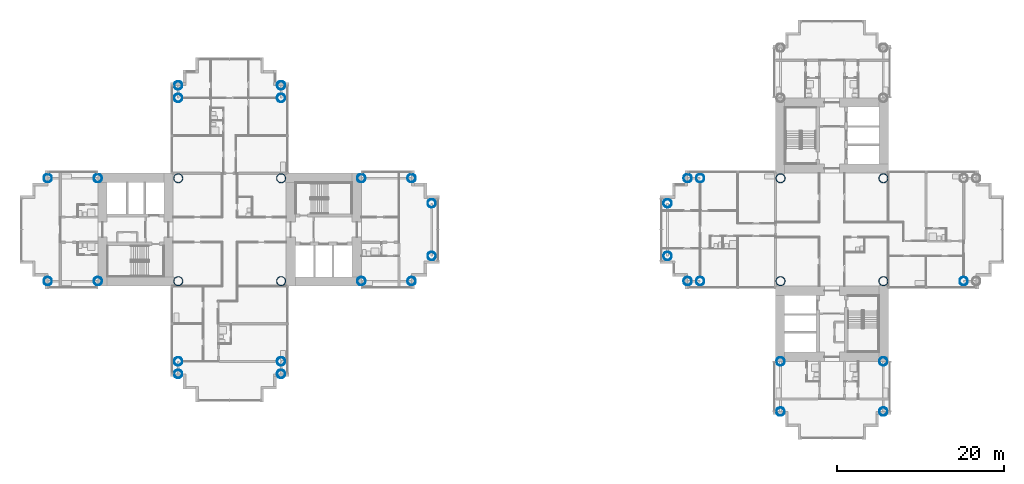
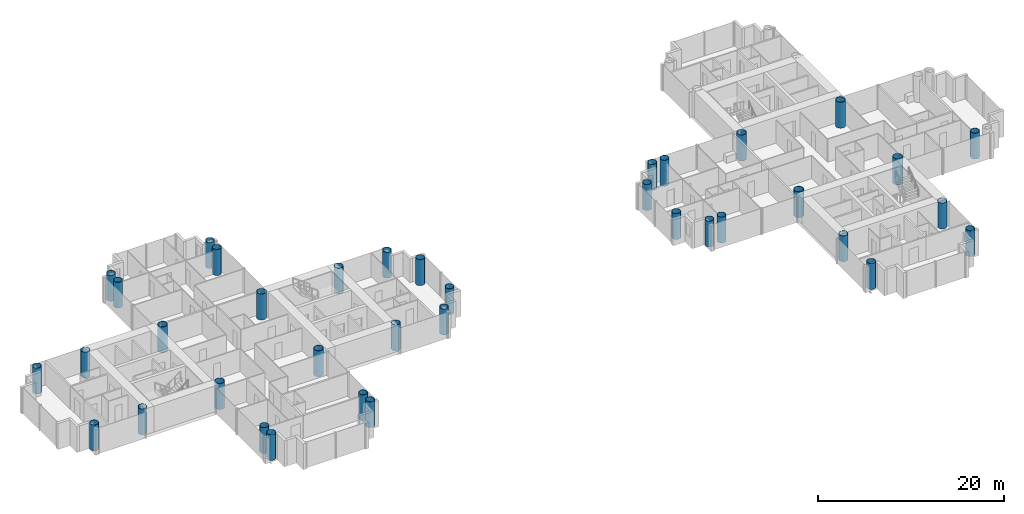
# One storey, part 1 of 21: 37 columns.
"""IFC4 building model written with IfcOpenShell, lengths in metres."""

from ifc_helpers import new_model, si_unit, direction, frame, origin, origin_2d, place, context, subcontext, project, spatial, hollow_circle, extrude, material, material_profile, profile_set, type_object, element, save


model = new_model("IFC4")

# Units and contexts
model_context = context("Model", 3, precision=1e-05, world=origin(), true_north=direction((0.0, 1.0)))
body_context = subcontext(model_context, "Body", "Model", "MODEL_VIEW")
ifc_project = project(units=[si_unit("LENGTHUNIT", "METRE"), si_unit("AREAUNIT", "SQUARE_METRE"), si_unit("VOLUMEUNIT", "CUBIC_METRE"), si_unit("PLANEANGLEUNIT", "RADIAN"), si_unit("MASSUNIT", "GRAM", prefix="KILO")], contexts=[model_context])

# Site, building, storey
site_placement = place(None, origin())
site = spatial("IfcSite", under=ifc_project, at=site_placement, CompositionType="ELEMENT")
building_placement = place(site_placement, origin())
building = spatial("IfcBuilding", under=site, at=building_placement, Name="Ipe Terrace Towers", CompositionType="ELEMENT")
storey_placement = place(building_placement, frame((0.0, 0.0, 27.89990234375)))
storey = spatial("IfcBuildingStorey", under=building, at=storey_placement, Name="L06", CompositionType="ELEMENT", Elevation=27.89990234375)

# Columns
ifc_material_1 = material(Name="Steel S355 tube with Concrete C60/75 fill", Category="concrete")
ifc_material_profile_1 = material_profile(ifc_material_1, hollow_circle(Radius=0.5, WallThickness=0.035888671875, at=origin_2d()), Name="CHS-1000x36")
ifc_profile_set_1 = profile_set([ifc_material_profile_1], Name="Steel S355 tube with Concrete C60/75 fill")
column_type_1 = type_object("IfcColumnType", Name="CH01 COLUMN CHS-1000x36", PredefinedType="COLUMN", material=ifc_profile_set_1)
for number, where, z_axis, x_axis, name in (
    (1, (-20.25, -6.14990234375, 0.0), (0.0, 0.0, 1.0), (1.0, 0.0, 0.0), "Column T1-C-A01"),
    (2, (-20.25, 6.14990234375, 0.0), (0.0, 0.0, 1.0), (1.0, 0.0, 0.0), "Column T1-C-A02"),
    (3, (-14.25, -6.14990234375, 0.0), (0.0, 0.0, 1.0), (1.0, 0.0, 0.0), "Column T1-C-A03"),
    (4, (-14.25, 6.14990234375, 0.0), (0.0, 0.0, 1.0), (1.0, 0.0, 0.0), "Column T1-C-A04"),
    (5, (-11.85009765625, -3.14990234375, 0.0), (0.0, 0.0, 1.0), (1.0, 0.0, 0.0), "Column T1-C-A05"),
    (6, (-11.85009765625, 3.14990234375, 0.0), (0.0, 0.0, 1.0), (1.0, 0.0, 0.0), "Column T1-C-A06"),
    (7, (-29.85009765625, 15.75, 0.0), (0.0, 0.0, 1.0), (1.0, 0.0, 0.0), "Column T1-C-B03"),
    (8, (-42.14990234375, 15.75, 0.0), (0.0, 0.0, 1.0), (1.0, 0.0, 0.0), "Column T1-C-B04"),
    (9, (-29.85009765625, 17.25, 0.0), (0.0, 0.0, 1.0), (1.0, 0.0, 0.0), "Column T1-C-B05"),
    (10, (-42.14990234375, 17.25, 0.0), (0.0, 0.0, 1.0), (1.0, 0.0, 0.0), "Column T1-C-B06"),
    (11, (-51.75, -6.14990234375, 0.0), (0.0, 0.0, 1.0), (1.0, 0.0, 0.0), "Column T1-C-C01"),
    (12, (-51.75, 6.14990234375, 0.0), (0.0, 0.0, 1.0), (1.0, 0.0, 0.0), "Column T1-C-C02"),
    (13, (-57.75, -6.14990234375, 0.0), (0.0, 0.0, 1.0), (1.0, 0.0, 0.0), "Column T1-C-C03"),
    (14, (-57.75, 6.14990234375, 0.0), (0.0, 0.0, 1.0), (1.0, 0.0, 0.0), "Column T1-C-C04"),
    (15, (-42.14990234375, -15.75, 0.0), (0.0, 0.0, 1.0), (1.0, 0.0, 0.0), "Column T1-C-D03"),
    (16, (-29.85009765625, -15.75, 0.0), (0.0, 0.0, 1.0), (1.0, 0.0, 0.0), "Column T1-C-D04"),
    (17, (-42.14990234375, -17.25, 0.0), (0.0, 0.0, 1.0), (1.0, 0.0, 0.0), "Column T1-C-D05"),
    (18, (-29.85009765625, -17.25, 0.0), (0.0, 0.0, 1.0), (1.0, 0.0, 0.0), "Column T1-C-D06"),
    (19, (20.25, 6.14990234375, 0.0), (0.0, 0.0, 1.0), (1.0, 0.0, 0.0), "Column T2-C-B03"),
    (20, (20.25, -6.14990234375, 0.0), (0.0, 0.0, 1.0), (1.0, 0.0, 0.0), "Column T2-C-B04"),
    (21, (18.75, 6.14990234375, 0.0), (0.0, 0.0, 1.0), (1.0, 0.0, 0.0), "Column T2-C-B05"),
    (22, (18.75, -6.14990234375, 0.0), (0.0, 0.0, 1.0), (1.0, 0.0, 0.0), "Column T2-C-B06"),
    (23, (16.35009765625, 3.14990234375, 0.0), (0.0, 0.0, 1.0), (1.0, 0.0, 0.0), "Column T2-C-B07"),
    (24, (16.35009765625, -3.14990234375, 0.0), (0.0, 0.0, 1.0), (1.0, 0.0, 0.0), "Column T2-C-B08"),
    (25, (42.14990234375, -15.75, 0.0), (0.0, 0.0, 1.0), (1.0, 0.0, 0.0), "Column T2-C-C01"),
    (26, (29.85009765625, -15.75, 0.0), (0.0, 0.0, 1.0), (1.0, 0.0, 0.0), "Column T2-C-C02"),
    (27, (42.14990234375, -21.75, 0.0), (0.0, 0.0, 1.0), (1.0, 0.0, 0.0), "Column T2-C-C03"),
    (28, (29.85009765625, -21.75, 0.0), (0.0, 0.0, 1.0), (1.0, 0.0, 0.0), "Column T2-C-C04"),
    (29, (51.75, -6.14990234375, 0.0), (0.0, 0.0, 1.0), (1.0, 0.0, 0.0), "Column T2-C-D03"),
):
    element("IfcColumn", number, at=place(storey_placement, frame(where, z_axis=z_axis, x_axis=x_axis)), inside=storey, type_object=column_type_1, Name=name, PredefinedType="COLUMN", context=body_context, shape_type="SweptSolid", body=[
        extrude(hollow_circle(Radius=0.5, WallThickness=0.035888671875, at=origin_2d()), origin(), (0.0, 0.0, 1.0), 3.400146484375),
    ])
ifc_material_2 = material(Name="Steel S355 tube with Concrete C60/75 fill", Category="concrete")
ifc_material_profile_2 = material_profile(ifc_material_2, hollow_circle(Radius=0.550048828125, WallThickness=0.0400390625, at=origin_2d()), Name="CHS-1100x40")
ifc_profile_set_2 = profile_set([ifc_material_profile_2], Name="Steel S355 tube with Concrete C60/75 fill")
column_type_2 = type_object("IfcColumnType", Name="CH02 COLUMN CHS-1100x40", PredefinedType="COLUMN", material=ifc_profile_set_2)
for number, where, z_axis, x_axis, name in (
    (30, (-42.14990234375, -6.14990234375, 0.0), (0.0, 0.0, 1.0), (1.0, 0.0, 0.0), "Column T1-C-E01"),
    (31, (-29.85009765625, -6.14990234375, 0.0), (0.0, 0.0, 1.0), (1.0, 0.0, 0.0), "Column T1-C-E02"),
    (32, (-29.85009765625, 6.14990234375, 0.0), (0.0, 0.0, 1.0), (1.0, 0.0, 0.0), "Column T1-C-E03"),
    (33, (-42.14990234375, 6.14990234375, 0.0), (0.0, 0.0, 1.0), (1.0, 0.0, 0.0), "Column T1-C-E04"),
    (34, (42.14990234375, -6.14990234375, 0.0), (0.0, 0.0, 1.0), (1.0, 0.0, 0.0), "Column T2-C-E01"),
    (35, (42.14990234375, 6.14990234375, 0.0), (0.0, 0.0, 1.0), (1.0, 0.0, 0.0), "Column T2-C-E02"),
    (36, (29.85009765625, 6.14990234375, 0.0), (0.0, 0.0, 1.0), (1.0, 0.0, 0.0), "Column T2-C-E03"),
    (37, (29.85009765625, -6.14990234375, 0.0), (0.0, 0.0, 1.0), (1.0, 0.0, 0.0), "Column T2-C-E04"),
):
    element("IfcColumn", number, at=place(storey_placement, frame(where, z_axis=z_axis, x_axis=x_axis)), inside=storey, type_object=column_type_2, Name=name, PredefinedType="COLUMN", context=body_context, shape_type="SweptSolid", body=[
        extrude(hollow_circle(Radius=0.550048828125, WallThickness=0.0400390625, at=origin_2d()), origin(), (0.0, 0.0, 1.0), 3.400146484375),
    ])

save(model, "model.ifc")
